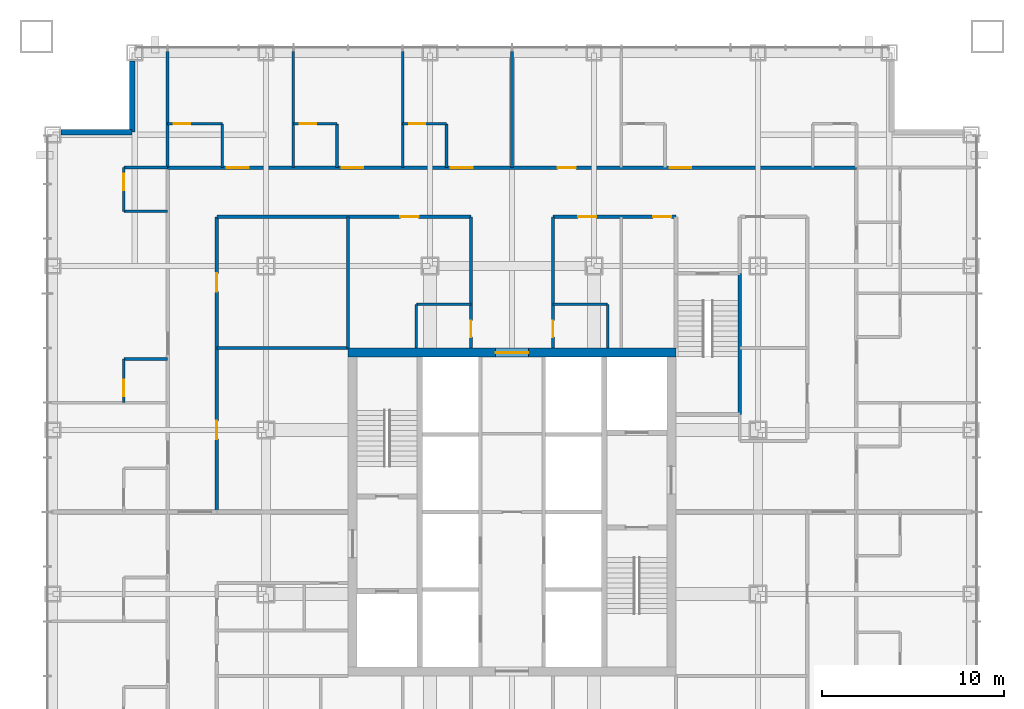
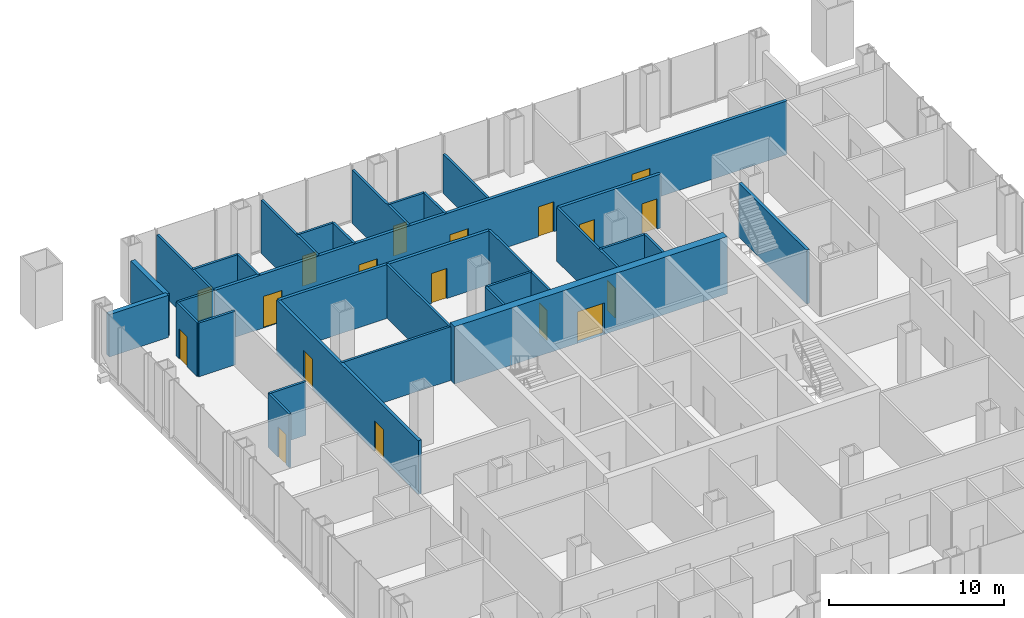
# One storey, part 10 of 12: 31 walls, 18 doors, 18 openings.
"""IFC4 building model written with IfcOpenShell, lengths in metres."""

from ifc_helpers import new_model, si_unit, direction, frame, frame_2d, origin, place, context, subcontext, project, spatial, rectangle, extrude, material, layer, layer_set, type_object, element, fill, save


model = new_model("IFC4")

# Units and contexts
model_context = context("Model", 3, precision=1e-05, world=origin(), true_north=direction((0.0, 1.0)))
body_context = subcontext(model_context, "Body", "Model", "MODEL_VIEW")
ifc_project = project(units=[si_unit("LENGTHUNIT", "METRE"), si_unit("AREAUNIT", "SQUARE_METRE"), si_unit("VOLUMEUNIT", "CUBIC_METRE"), si_unit("PLANEANGLEUNIT", "RADIAN"), si_unit("MASSUNIT", "GRAM", prefix="KILO")], contexts=[model_context])

# Site, building, storey
site_placement = place(None, origin())
site = spatial("IfcSite", under=ifc_project, at=site_placement, CompositionType="ELEMENT")
building_placement = place(site_placement, origin())
building = spatial("IfcBuilding", under=site, at=building_placement, Name="Malebo Sky Hospital", CompositionType="ELEMENT")
storey_placement = place(building_placement, frame((0.0, 0.0, 59.0)))
storey = spatial("IfcBuildingStorey", under=building, at=storey_placement, Name="L13", CompositionType="ELEMENT", Elevation=59.0)

# Wall, opening, door
ifc_material_1 = material(Name="Concrete C80/95", Category="concrete")
ifc_layer_1 = layer(ifc_material_1, 0.5)
ifc_layer_set_1 = layer_set([ifc_layer_1], Name="CORE WALL 500")
wall_type_1 = type_object("IfcWallType", Name="CORE WALL 500", PredefinedType="SHEAR", material=ifc_layer_set_1)
wall_1_placement = place(storey_placement, frame((51.0, 70.75, 0.0), z_axis=(0.0, 0.0, 1.0), x_axis=(1.0, 0.0, 0.0)))
wall_1 = element("IfcWall", 1, at=wall_1_placement, inside=storey, type_object=wall_type_1, Name="Core wall N L13", PredefinedType="SHEAR", context=body_context, shape_type="SweptSolid", body=[
    extrude(rectangle(XDim=18.0, YDim=0.5, at=frame_2d((9.0, 0.0))), origin(), (0.0, 0.0, 1.0), 4.0),
])
opening_1_placement = place(wall_1_placement, frame((8.10009765625, 0.0, 0.0)))
opening_1 = element("IfcOpeningElement", 2, at=opening_1_placement, cuts=wall_1, Name="Opening D06", PredefinedType="OPENING", context=body_context, shape_type="SweptSolid", body=[
    extrude(rectangle(XDim=1.800048828125, YDim=2.199951171875, at=frame_2d((0.89990234375, 1.10009765625))), frame((0.0, 0.260009765625, 0.0), z_axis=(0.0, -1.0, 0.0), x_axis=(1.0, 0.0, 0.0)), (0.0, 0.0, 1.0), 0.52001953125),
])
ifc_material_2 = material(Name="Hardwood-faced door leaf in steel frame", Category="steel")
door_type_1 = type_object("IfcDoorType", Name="LOBBY DOOR PAIR 1800", OperationType="DOUBLE_DOOR_SINGLE_SWING", PredefinedType="DOOR", material=ifc_material_2)
door_1_placement = place(opening_1_placement, origin())
door_1 = element("IfcDoor", 3, at=door_1_placement, inside=storey, type_object=door_type_1, Name="ward pantry door north", OperationType="DOUBLE_DOOR_SINGLE_SWING", OverallHeight=2.199951171875, OverallWidth=1.800048828125, PredefinedType="DOOR", context=body_context, shape_type="SweptSolid", body=[
    extrude(rectangle(XDim=1.800048828125, YDim=2.199951171875, at=frame_2d((0.89990234375, 1.10009765625))), frame((0.0, 0.02490234375, 0.0), z_axis=(0.0, -1.0, 0.0), x_axis=(1.0, 0.0, 0.0)), (0.0, 0.0, 1.0), 0.050048828125),
])
fill(opening_1, door_1)

# Wall, openings, doors
ifc_material_3 = material(Name="Gypsum board on steel studs", Category="steel")
ifc_layer_2 = layer(ifc_material_3, 0.199951171875)
ifc_layer_set_2 = layer_set([ifc_layer_2], Name="CORRIDOR WALL 200")
wall_type_2 = type_object("IfcWallType", Name="CORRIDOR WALL 200", PredefinedType="PARTITIONING", material=ifc_layer_set_2)
wall_2_placement = place(storey_placement, frame((41.10009765625, 80.89990234375, 0.0), z_axis=(0.0, 0.0, 1.0), x_axis=(1.0, 0.0, 0.0)))
wall_2 = element("IfcWall", 4, at=wall_2_placement, inside=storey, type_object=wall_type_2, Name="Corridor Wall 200 NCO", PredefinedType="PARTITIONING", context=body_context, shape_type="SweptSolid", body=[
    extrude(rectangle(XDim=37.7998046875, YDim=0.199951171875, at=frame_2d((18.89990234375, 0.0))), origin(), (0.0, 0.0, 1.0), 3.75),
])
opening_2_placement = place(wall_2_placement, frame((3.25, 0.0, 0.0)))
opening_2 = element("IfcOpeningElement", 5, at=opening_2_placement, cuts=wall_2, Name="Opening D01", PredefinedType="OPENING", context=body_context, shape_type="SweptSolid", body=[
    extrude(rectangle(XDim=1.199951171875, YDim=2.199951171875, at=frame_2d((0.60009765625, 1.10009765625))), frame((0.0, 0.10986328125, 0.0), z_axis=(0.0, -1.0, 0.0), x_axis=(1.0, 0.0, 0.0)), (0.0, 0.0, 1.0), 0.219970703125),
])
opening_3_placement = place(wall_2_placement, frame((9.550048828125, 0.0, 0.0)))
opening_3 = element("IfcOpeningElement", 6, at=opening_3_placement, cuts=wall_2, Name="Opening D01", PredefinedType="OPENING", context=body_context, shape_type="SweptSolid", body=[
    extrude(rectangle(XDim=1.199951171875, YDim=2.199951171875, at=frame_2d((0.60009765625, 1.10009765625))), frame((0.0, 0.10986328125, 0.0), z_axis=(0.0, -1.0, 0.0), x_axis=(1.0, 0.0, 0.0)), (0.0, 0.0, 1.0), 0.219970703125),
])
opening_4_placement = place(wall_2_placement, frame((15.550048828125, 0.0, 0.0)))
opening_4 = element("IfcOpeningElement", 7, at=opening_4_placement, cuts=wall_2, Name="Opening D01", PredefinedType="OPENING", context=body_context, shape_type="SweptSolid", body=[
    extrude(rectangle(XDim=1.199951171875, YDim=2.199951171875, at=frame_2d((0.60009765625, 1.10009765625))), frame((0.0, 0.10986328125, 0.0), z_axis=(0.0, -1.0, 0.0), x_axis=(1.0, 0.0, 0.0)), (0.0, 0.0, 1.0), 0.219970703125),
])
opening_5_placement = place(wall_2_placement, frame((21.39990234375, 0.0, 0.0)))
opening_5 = element("IfcOpeningElement", 8, at=opening_5_placement, cuts=wall_2, Name="Opening D03", PredefinedType="OPENING", context=body_context, shape_type="SweptSolid", body=[
    extrude(rectangle(XDim=1.0, YDim=2.10009765625, at=frame_2d((0.5, 1.050048828125))), frame((0.0, 0.10986328125, 0.0), z_axis=(0.0, -1.0, 0.0), x_axis=(1.0, 0.0, 0.0)), (0.0, 0.0, 1.0), 0.219970703125),
])
opening_6_placement = place(wall_2_placement, frame((27.550048828125, 0.0, 0.0)))
opening_6 = element("IfcOpeningElement", 9, at=opening_6_placement, cuts=wall_2, Name="Opening D01", PredefinedType="OPENING", context=body_context, shape_type="SweptSolid", body=[
    extrude(rectangle(XDim=1.199951171875, YDim=2.199951171875, at=frame_2d((0.60009765625, 1.10009765625))), frame((0.0, 0.10986328125, 0.0), z_axis=(0.0, -1.0, 0.0), x_axis=(1.0, 0.0, 0.0)), (0.0, 0.0, 1.0), 0.219970703125),
])
door_type_2 = type_object("IfcDoorType", Name="BED DOOR 1200", OperationType="SINGLE_SWING_LEFT", PredefinedType="DOOR", material=ifc_material_2)
door_2_placement = place(opening_2_placement, origin())
door_2 = element("IfcDoor", 10, at=door_2_placement, inside=storey, type_object=door_type_2, Name="Two-bed room door", OperationType="SINGLE_SWING_LEFT", OverallHeight=2.199951171875, OverallWidth=1.199951171875, PredefinedType="DOOR", context=body_context, shape_type="SweptSolid", body=[
    extrude(rectangle(XDim=1.199951171875, YDim=2.199951171875, at=frame_2d((0.60009765625, 1.10009765625))), frame((0.0, 0.02490234375, 0.0), z_axis=(0.0, -1.0, 0.0), x_axis=(1.0, 0.0, 0.0)), (0.0, 0.0, 1.0), 0.050048828125),
])
fill(opening_2, door_2)
door_3_placement = place(opening_3_placement, origin())
door_3 = element("IfcDoor", 11, at=door_3_placement, inside=storey, type_object=door_type_2, Name="Two-bed room door", OperationType="SINGLE_SWING_LEFT", OverallHeight=2.199951171875, OverallWidth=1.199951171875, PredefinedType="DOOR", context=body_context, shape_type="SweptSolid", body=[
    extrude(rectangle(XDim=1.199951171875, YDim=2.199951171875, at=frame_2d((0.60009765625, 1.10009765625))), frame((0.0, 0.02490234375, 0.0), z_axis=(0.0, -1.0, 0.0), x_axis=(1.0, 0.0, 0.0)), (0.0, 0.0, 1.0), 0.050048828125),
])
fill(opening_3, door_3)
door_4_placement = place(opening_4_placement, origin())
door_4 = element("IfcDoor", 12, at=door_4_placement, inside=storey, type_object=door_type_2, Name="Two-bed room door", OperationType="SINGLE_SWING_LEFT", OverallHeight=2.199951171875, OverallWidth=1.199951171875, PredefinedType="DOOR", context=body_context, shape_type="SweptSolid", body=[
    extrude(rectangle(XDim=1.199951171875, YDim=2.199951171875, at=frame_2d((0.60009765625, 1.10009765625))), frame((0.0, 0.02490234375, 0.0), z_axis=(0.0, -1.0, 0.0), x_axis=(1.0, 0.0, 0.0)), (0.0, 0.0, 1.0), 0.050048828125),
])
fill(opening_4, door_4)
door_5_placement = place(opening_6_placement, origin())
door_5 = element("IfcDoor", 13, at=door_5_placement, inside=storey, type_object=door_type_2, Name="Four-bed bay door", OperationType="SINGLE_SWING_LEFT", OverallHeight=2.199951171875, OverallWidth=1.199951171875, PredefinedType="DOOR", context=body_context, shape_type="SweptSolid", body=[
    extrude(rectangle(XDim=1.199951171875, YDim=2.199951171875, at=frame_2d((0.60009765625, 1.10009765625))), frame((0.0, 0.02490234375, 0.0), z_axis=(0.0, -1.0, 0.0), x_axis=(1.0, 0.0, 0.0)), (0.0, 0.0, 1.0), 0.050048828125),
])
fill(opening_6, door_5)
door_type_3 = type_object("IfcDoorType", Name="ROOM DOOR 1000", OperationType="SINGLE_SWING_LEFT", PredefinedType="DOOR", material=ifc_material_2)
door_6_placement = place(opening_5_placement, origin())
door_6 = element("IfcDoor", 14, at=door_6_placement, inside=storey, type_object=door_type_3, Name="Patient day room door", OperationType="SINGLE_SWING_LEFT", OverallHeight=2.10009765625, OverallWidth=1.0, PredefinedType="DOOR", context=body_context, shape_type="SweptSolid", body=[
    extrude(rectangle(XDim=1.0, YDim=2.10009765625, at=frame_2d((0.5, 1.050048828125))), frame((0.0, 0.02490234375, 0.0), z_axis=(0.0, -1.0, 0.0), x_axis=(1.0, 0.0, 0.0)), (0.0, 0.0, 1.0), 0.050048828125),
])
fill(opening_5, door_6)

# Wall, opening, door
wall_3_placement = place(storey_placement, frame((43.800048828125, 78.199951171875, 0.0), z_axis=(0.0, 0.0, 1.0), x_axis=(1.0, 0.0, 0.0)))
wall_3 = element("IfcWall", 15, at=wall_3_placement, inside=storey, type_object=wall_type_2, Name="Corridor Wall 200 NCI1", PredefinedType="PARTITIONING", context=body_context, shape_type="SweptSolid", body=[
    extrude(rectangle(XDim=13.949951171875, YDim=0.199951171875, at=frame_2d((6.97509765625, 0.0))), origin(), (0.0, 0.0, 1.0), 3.75),
])
opening_7_placement = place(wall_3_placement, frame((10.074951171875, 0.0, 0.0)))
opening_7 = element("IfcOpeningElement", 16, at=opening_7_placement, cuts=wall_3, Name="Opening D03", PredefinedType="OPENING", context=body_context, shape_type="SweptSolid", body=[
    extrude(rectangle(XDim=1.0, YDim=2.10009765625, at=frame_2d((0.5, 1.050048828125))), frame((0.0, 0.10986328125, 0.0), z_axis=(0.0, -1.0, 0.0), x_axis=(1.0, 0.0, 0.0)), (0.0, 0.0, 1.0), 0.219970703125),
])
door_7_placement = place(opening_7_placement, origin())
door_7 = element("IfcDoor", 17, at=door_7_placement, inside=storey, type_object=door_type_3, Name="Consulting room door", OperationType="SINGLE_SWING_LEFT", OverallHeight=2.10009765625, OverallWidth=1.0, PredefinedType="DOOR", context=body_context, shape_type="SweptSolid", body=[
    extrude(rectangle(XDim=1.0, YDim=2.10009765625, at=frame_2d((0.5, 1.050048828125))), frame((0.0, 0.02490234375, 0.0), z_axis=(0.0, -1.0, 0.0), x_axis=(1.0, 0.0, 0.0)), (0.0, 0.0, 1.0), 0.050048828125),
])
fill(opening_7, door_7)

# Wall, openings, doors
wall_4_placement = place(storey_placement, frame((62.25, 78.199951171875, 0.0), z_axis=(0.0, 0.0, 1.0), x_axis=(1.0, 0.0, 0.0)))
wall_4 = element("IfcWall", 18, at=wall_4_placement, inside=storey, type_object=wall_type_2, Name="Corridor Wall 200 NCI2", PredefinedType="PARTITIONING", context=body_context, shape_type="SweptSolid", body=[
    extrude(rectangle(XDim=6.75, YDim=0.199951171875, at=frame_2d((3.375, 0.0))), origin(), (0.0, 0.0, 1.0), 3.75),
])
opening_8_placement = place(wall_4_placement, frame((1.375, 0.0, 0.0)))
opening_8 = element("IfcOpeningElement", 19, at=opening_8_placement, cuts=wall_4, Name="Opening D03", PredefinedType="OPENING", context=body_context, shape_type="SweptSolid", body=[
    extrude(rectangle(XDim=1.0, YDim=2.10009765625, at=frame_2d((0.5, 1.050048828125))), frame((0.0, 0.10986328125, 0.0), z_axis=(0.0, -1.0, 0.0), x_axis=(1.0, 0.0, 0.0)), (0.0, 0.0, 1.0), 0.219970703125),
])
opening_9_placement = place(wall_4_placement, frame((5.5, 0.0, 0.0)))
opening_9 = element("IfcOpeningElement", 20, at=opening_9_placement, cuts=wall_4, Name="Opening D03", PredefinedType="OPENING", context=body_context, shape_type="SweptSolid", body=[
    extrude(rectangle(XDim=1.0, YDim=2.10009765625, at=frame_2d((0.5, 1.050048828125))), frame((0.0, 0.10986328125, 0.0), z_axis=(0.0, -1.0, 0.0), x_axis=(1.0, 0.0, 0.0)), (0.0, 0.0, 1.0), 0.219970703125),
])
door_8_placement = place(opening_8_placement, origin())
door_8 = element("IfcDoor", 21, at=door_8_placement, inside=storey, type_object=door_type_3, Name="Equipment store door", OperationType="SINGLE_SWING_LEFT", OverallHeight=2.10009765625, OverallWidth=1.0, PredefinedType="DOOR", context=body_context, shape_type="SweptSolid", body=[
    extrude(rectangle(XDim=1.0, YDim=2.10009765625, at=frame_2d((0.5, 1.050048828125))), frame((0.0, 0.02490234375, 0.0), z_axis=(0.0, -1.0, 0.0), x_axis=(1.0, 0.0, 0.0)), (0.0, 0.0, 1.0), 0.050048828125),
])
fill(opening_8, door_8)
door_9_placement = place(opening_9_placement, origin())
door_9 = element("IfcDoor", 22, at=door_9_placement, inside=storey, type_object=door_type_3, Name="Clean utility room door", OperationType="SINGLE_SWING_RIGHT", OverallHeight=2.10009765625, OverallWidth=1.0, PredefinedType="DOOR", context=body_context, shape_type="SweptSolid", body=[
    extrude(rectangle(XDim=1.0, YDim=2.10009765625, at=frame_2d((0.5, 1.050048828125))), frame((0.0, 0.02490234375, 0.0), z_axis=(0.0, -1.0, 0.0), x_axis=(1.0, 0.0, 0.0)), (0.0, 0.0, 1.0), 0.050048828125),
])
fill(opening_9, door_9)

wall_5_placement = place(storey_placement, frame((43.800048828125, 62.0, 0.0), z_axis=(0.0, 0.0, 1.0), x_axis=(0.0, 1.0, 0.0)))
wall_5 = element("IfcWall", 23, at=wall_5_placement, inside=storey, type_object=wall_type_2, Name="Corridor Wall 200 WCI2", PredefinedType="PARTITIONING", context=body_context, shape_type="SweptSolid", body=[
    extrude(rectangle(XDim=16.199951171875, YDim=0.199951171875, at=frame_2d((8.10009765625, 0.0))), origin(), (0.0, 0.0, 1.0), 3.75),
])
opening_10_placement = place(wall_5_placement, frame((4.0, 0.0, 0.0)))
opening_10 = element("IfcOpeningElement", 24, at=opening_10_placement, cuts=wall_5, Name="Opening D03", PredefinedType="OPENING", context=body_context, shape_type="SweptSolid", body=[
    extrude(rectangle(XDim=1.0, YDim=2.10009765625, at=frame_2d((0.5, 1.050048828125))), frame((0.0, 0.10986328125, 0.0), z_axis=(0.0, -1.0, 0.0), x_axis=(1.0, 0.0, 0.0)), (0.0, 0.0, 1.0), 0.219970703125),
])
opening_11_placement = place(wall_5_placement, frame((12.10009765625, 0.0, 0.0)))
opening_11 = element("IfcOpeningElement", 25, at=opening_11_placement, cuts=wall_5, Name="Opening D03", PredefinedType="OPENING", context=body_context, shape_type="SweptSolid", body=[
    extrude(rectangle(XDim=1.0, YDim=2.10009765625, at=frame_2d((0.5, 1.050048828125))), frame((0.0, 0.10986328125, 0.0), z_axis=(0.0, -1.0, 0.0), x_axis=(1.0, 0.0, 0.0)), (0.0, 0.0, 1.0), 0.219970703125),
])
door_10_placement = place(opening_10_placement, origin())
door_10 = element("IfcDoor", 26, at=door_10_placement, inside=storey, type_object=door_type_3, Name="Nurse station door", OperationType="SINGLE_SWING_LEFT", OverallHeight=2.10009765625, OverallWidth=1.0, PredefinedType="DOOR", context=body_context, shape_type="SweptSolid", body=[
    extrude(rectangle(XDim=1.0, YDim=2.10009765625, at=frame_2d((0.5, 1.050048828125))), frame((0.0, 0.02490234375, 0.0), z_axis=(0.0, -1.0, 0.0), x_axis=(1.0, 0.0, 0.0)), (0.0, 0.0, 1.0), 0.050048828125),
])
fill(opening_10, door_10)
door_11_placement = place(opening_11_placement, origin())
door_11 = element("IfcDoor", 27, at=door_11_placement, inside=storey, type_object=door_type_3, Name="Treatment room door", OperationType="SINGLE_SWING_RIGHT", OverallHeight=2.10009765625, OverallWidth=1.0, PredefinedType="DOOR", context=body_context, shape_type="SweptSolid", body=[
    extrude(rectangle(XDim=1.0, YDim=2.10009765625, at=frame_2d((0.5, 1.050048828125))), frame((0.0, 0.02490234375, 0.0), z_axis=(0.0, -1.0, 0.0), x_axis=(1.0, 0.0, 0.0)), (0.0, 0.0, 1.0), 0.050048828125),
])
fill(opening_11, door_11)

# Walls
ifc_material_4 = material(Name="Anodised aluminium rainscreen on steel framing", Category="steel")
ifc_layer_3 = layer(ifc_material_4, 0.300048828125)
ifc_layer_set_3 = layer_set([ifc_layer_3], Name="NOTCH RAINSCREEN WALL 300")
wall_type_3 = type_object("IfcWallType", Name="NOTCH RAINSCREEN WALL 300", PredefinedType="ELEMENTEDWALL", material=ifc_layer_set_3)
for number, where, z_axis, x_axis, name in (
    (28, (35.25, 82.85009765625, 0.0), (0.0, 0.0, 1.0), (1.0, 0.0, 0.0), "Notch rainscreen wall W1 L13"),
    (29, (39.14990234375, 82.85009765625, 0.0), (0.0, 0.0, 1.0), (0.0, 1.0, 0.0), "Notch rainscreen wall W2 L13"),
):
    element("IfcWall", number, at=place(storey_placement, frame(where, z_axis=z_axis, x_axis=x_axis)), inside=storey, type_object=wall_type_3, Name=name, PredefinedType="ELEMENTEDWALL", context=body_context, shape_type="SweptSolid", body=[
        extrude(rectangle(XDim=3.89990234375, YDim=0.300048828125, at=frame_2d((1.949951171875, 0.0))), origin(), (0.0, 0.0, 1.0), 2.949951171875),
    ])
ifc_layer_4 = layer(ifc_material_3, 0.14990234375)
ifc_layer_set_4 = layer_set([ifc_layer_4], Name="PARTITION 150")
wall_type_4 = type_object("IfcWallType", Name="PARTITION 150", PredefinedType="PARTITIONING", material=ifc_layer_set_4)
for number, where, z_axis, x_axis, name in (
    (30, (48.0, 80.89990234375, 0.0), (0.0, 0.0, 1.0), (0.0, 1.0, 0.0), "Partition 150 NP-12.0"),
    (31, (54.0, 80.89990234375, 0.0), (0.0, 0.0, 1.0), (0.0, 1.0, 0.0), "Partition 150 NP-6.0"),
):
    element("IfcWall", number, at=place(storey_placement, frame(where, z_axis=z_axis, x_axis=x_axis)), inside=storey, type_object=wall_type_4, Name=name, PredefinedType="PARTITIONING", context=body_context, shape_type="SweptSolid", body=[
        extrude(rectangle(XDim=6.375, YDim=0.14990234375, at=frame_2d((3.1875, 0.0))), origin(), (0.0, 0.0, 1.0), 3.75),
    ])
wall_6_placement = place(storey_placement, frame((60.0, 80.89990234375, 0.0), z_axis=(0.0, 0.0, 1.0), x_axis=(0.0, 1.0, 0.0)))
element("IfcWall", 32, at=wall_6_placement, inside=storey, type_object=wall_type_4, Name="Partition 150 NP+0.0", PredefinedType="PARTITIONING", context=body_context, shape_type="SweptSolid", body=[
    extrude(rectangle(XDim=6.375, YDim=0.14990234375, at=frame_2d((3.1875, 0.0))), origin(), (0.0, 0.0, 1.0), 2.75),
])
wall_7_placement = place(storey_placement, frame((41.10009765625, 80.89990234375, 0.0), z_axis=(0.0, 0.0, 1.0), x_axis=(0.0, 1.0, 0.0)))
element("IfcWall", 33, at=wall_7_placement, inside=storey, type_object=wall_type_4, Name="Partition 150 NP0", PredefinedType="PARTITIONING", context=body_context, shape_type="SweptSolid", body=[
    extrude(rectangle(XDim=6.375, YDim=0.14990234375, at=frame_2d((3.1875, 0.0))), origin(), (0.0, 0.0, 1.0), 3.75),
])

# Wall, opening, door
wall_8_placement = place(storey_placement, frame((41.10009765625, 83.300048828125, 0.0), z_axis=(0.0, 0.0, 1.0), x_axis=(1.0, 0.0, 0.0)))
wall_8 = element("IfcWall", 34, at=wall_8_placement, inside=storey, type_object=wall_type_4, Name="Partition 150 NE0F", PredefinedType="PARTITIONING", context=body_context, shape_type="SweptSolid", body=[
    extrude(rectangle(XDim=3.0, YDim=0.14990234375, at=frame_2d((1.5, 0.0))), origin(), (0.0, 0.0, 1.0), 3.75),
])
opening_12_placement = place(wall_8_placement, frame((0.35009765625, 0.0, 0.0)))
opening_12 = element("IfcOpeningElement", 35, at=opening_12_placement, cuts=wall_8, Name="Opening D02", PredefinedType="OPENING", context=body_context, shape_type="SweptSolid", body=[
    extrude(rectangle(XDim=0.89990234375, YDim=2.10009765625, at=frame_2d((0.449951171875, 1.050048828125))), frame((0.0, 0.0849609375, 0.0), z_axis=(0.0, -1.0, 0.0), x_axis=(1.0, 0.0, 0.0)), (0.0, 0.0, 1.0), 0.169921875),
])
door_type_4 = type_object("IfcDoorType", Name="EN-SUITE DOOR 900", OperationType="SINGLE_SWING_LEFT", PredefinedType="DOOR", material=ifc_material_2)
door_12_placement = place(opening_12_placement, origin())
door_12 = element("IfcDoor", 36, at=door_12_placement, inside=storey, type_object=door_type_4, Name="En-suite door", OperationType="SINGLE_SWING_LEFT", OverallHeight=2.10009765625, OverallWidth=0.89990234375, PredefinedType="DOOR", context=body_context, shape_type="SweptSolid", body=[
    extrude(rectangle(XDim=0.89990234375, YDim=2.10009765625, at=frame_2d((0.449951171875, 1.050048828125))), frame((0.0, 0.02490234375, 0.0), z_axis=(0.0, -1.0, 0.0), x_axis=(1.0, 0.0, 0.0)), (0.0, 0.0, 1.0), 0.050048828125),
])
fill(opening_12, door_12)

# Wall
wall_9_placement = place(storey_placement, frame((44.10009765625, 80.89990234375, 0.0), z_axis=(0.0, 0.0, 1.0), x_axis=(0.0, 1.0, 0.0)))
element("IfcWall", 37, at=wall_9_placement, inside=storey, type_object=wall_type_4, Name="Partition 150 NE0S", PredefinedType="PARTITIONING", context=body_context, shape_type="SweptSolid", body=[
    extrude(rectangle(XDim=2.400146484375, YDim=0.14990234375, at=frame_2d((1.2001953125, 0.0))), origin(), (0.0, 0.0, 1.0), 3.75),
])

# Wall, opening, door
wall_10_placement = place(storey_placement, frame((48.0, 83.300048828125, 0.0), z_axis=(0.0, 0.0, 1.0), x_axis=(1.0, 0.0, 0.0)))
wall_10 = element("IfcWall", 38, at=wall_10_placement, inside=storey, type_object=wall_type_4, Name="Partition 150 NE1F", PredefinedType="PARTITIONING", context=body_context, shape_type="SweptSolid", body=[
    extrude(rectangle(XDim=2.39990234375, YDim=0.14990234375, at=frame_2d((1.199951171875, 0.0))), origin(), (0.0, 0.0, 1.0), 3.75),
])
opening_13_placement = place(wall_10_placement, frame((0.35009765625, 0.0, 0.0)))
opening_13 = element("IfcOpeningElement", 39, at=opening_13_placement, cuts=wall_10, Name="Opening D02", PredefinedType="OPENING", context=body_context, shape_type="SweptSolid", body=[
    extrude(rectangle(XDim=0.89990234375, YDim=2.10009765625, at=frame_2d((0.449951171875, 1.050048828125))), frame((0.0, 0.0849609375, 0.0), z_axis=(0.0, -1.0, 0.0), x_axis=(1.0, 0.0, 0.0)), (0.0, 0.0, 1.0), 0.169921875),
])
door_13_placement = place(opening_13_placement, origin())
door_13 = element("IfcDoor", 40, at=door_13_placement, inside=storey, type_object=door_type_4, Name="En-suite door", OperationType="SINGLE_SWING_LEFT", OverallHeight=2.10009765625, OverallWidth=0.89990234375, PredefinedType="DOOR", context=body_context, shape_type="SweptSolid", body=[
    extrude(rectangle(XDim=0.89990234375, YDim=2.10009765625, at=frame_2d((0.449951171875, 1.050048828125))), frame((0.0, 0.02490234375, 0.0), z_axis=(0.0, -1.0, 0.0), x_axis=(1.0, 0.0, 0.0)), (0.0, 0.0, 1.0), 0.050048828125),
])
fill(opening_13, door_13)

# Wall
wall_11_placement = place(storey_placement, frame((50.39990234375, 80.89990234375, 0.0), z_axis=(0.0, 0.0, 1.0), x_axis=(0.0, 1.0, 0.0)))
element("IfcWall", 41, at=wall_11_placement, inside=storey, type_object=wall_type_4, Name="Partition 150 NE1S", PredefinedType="PARTITIONING", context=body_context, shape_type="SweptSolid", body=[
    extrude(rectangle(XDim=2.400146484375, YDim=0.14990234375, at=frame_2d((1.2001953125, 0.0))), origin(), (0.0, 0.0, 1.0), 3.75),
])

# Wall, opening, door
wall_12_placement = place(storey_placement, frame((54.0, 83.300048828125, 0.0), z_axis=(0.0, 0.0, 1.0), x_axis=(1.0, 0.0, 0.0)))
wall_12 = element("IfcWall", 42, at=wall_12_placement, inside=storey, type_object=wall_type_4, Name="Partition 150 NE2F", PredefinedType="PARTITIONING", context=body_context, shape_type="SweptSolid", body=[
    extrude(rectangle(XDim=2.39990234375, YDim=0.14990234375, at=frame_2d((1.199951171875, 0.0))), origin(), (0.0, 0.0, 1.0), 3.75),
])
opening_14_placement = place(wall_12_placement, frame((0.35009765625, 0.0, 0.0)))
opening_14 = element("IfcOpeningElement", 43, at=opening_14_placement, cuts=wall_12, Name="Opening D02", PredefinedType="OPENING", context=body_context, shape_type="SweptSolid", body=[
    extrude(rectangle(XDim=0.89990234375, YDim=2.10009765625, at=frame_2d((0.449951171875, 1.050048828125))), frame((0.0, 0.0849609375, 0.0), z_axis=(0.0, -1.0, 0.0), x_axis=(1.0, 0.0, 0.0)), (0.0, 0.0, 1.0), 0.169921875),
])
door_14_placement = place(opening_14_placement, origin())
door_14 = element("IfcDoor", 44, at=door_14_placement, inside=storey, type_object=door_type_4, Name="En-suite door", OperationType="SINGLE_SWING_LEFT", OverallHeight=2.10009765625, OverallWidth=0.89990234375, PredefinedType="DOOR", context=body_context, shape_type="SweptSolid", body=[
    extrude(rectangle(XDim=0.89990234375, YDim=2.10009765625, at=frame_2d((0.449951171875, 1.050048828125))), frame((0.0, 0.02490234375, 0.0), z_axis=(0.0, -1.0, 0.0), x_axis=(1.0, 0.0, 0.0)), (0.0, 0.0, 1.0), 0.050048828125),
])
fill(opening_14, door_14)

# Walls
wall_13_placement = place(storey_placement, frame((56.39990234375, 80.89990234375, 0.0), z_axis=(0.0, 0.0, 1.0), x_axis=(0.0, 1.0, 0.0)))
element("IfcWall", 45, at=wall_13_placement, inside=storey, type_object=wall_type_4, Name="Partition 150 NE2S", PredefinedType="PARTITIONING", context=body_context, shape_type="SweptSolid", body=[
    extrude(rectangle(XDim=2.400146484375, YDim=0.14990234375, at=frame_2d((1.2001953125, 0.0))), origin(), (0.0, 0.0, 1.0), 3.75),
])
wall_14_placement = place(storey_placement, frame((51.0, 71.0, 0.0), z_axis=(0.0, 0.0, 1.0), x_axis=(0.0, 1.0, 0.0)))
element("IfcWall", 46, at=wall_14_placement, inside=storey, type_object=wall_type_4, Name="Partition 150 NSP0", PredefinedType="PARTITIONING", context=body_context, shape_type="SweptSolid", body=[
    extrude(rectangle(XDim=7.199951171875, YDim=0.14990234375, at=frame_2d((3.60009765625, 0.0))), origin(), (0.0, 0.0, 1.0), 3.75),
])

# Wall, opening, door
wall_15_placement = place(storey_placement, frame((57.75, 71.0, 0.0), z_axis=(0.0, 0.0, 1.0), x_axis=(0.0, 1.0, 0.0)))
wall_15 = element("IfcWall", 47, at=wall_15_placement, inside=storey, type_object=wall_type_4, Name="Partition 150 NSPA", PredefinedType="PARTITIONING", context=body_context, shape_type="SweptSolid", body=[
    extrude(rectangle(XDim=7.199951171875, YDim=0.14990234375, at=frame_2d((3.60009765625, 0.0))), origin(), (0.0, 0.0, 1.0), 3.75),
])
opening_15_placement = place(wall_15_placement, frame((0.60009765625, 0.0, 0.0)))
opening_15 = element("IfcOpeningElement", 48, at=opening_15_placement, cuts=wall_15, Name="Opening D04", PredefinedType="OPENING", context=body_context, shape_type="SweptSolid", body=[
    extrude(rectangle(XDim=0.89990234375, YDim=2.10009765625, at=frame_2d((0.449951171875, 1.050048828125))), frame((0.0, 0.0849609375, 0.0), z_axis=(0.0, -1.0, 0.0), x_axis=(1.0, 0.0, 0.0)), (0.0, 0.0, 1.0), 0.169921875),
])
door_type_5 = type_object("IfcDoorType", Name="ROOM DOOR 900", OperationType="SINGLE_SWING_LEFT", PredefinedType="DOOR", material=ifc_material_2)
door_15_placement = place(opening_15_placement, origin())
door_15 = element("IfcDoor", 49, at=door_15_placement, inside=storey, type_object=door_type_5, Name="Staff WC door", OperationType="SINGLE_SWING_LEFT", OverallHeight=2.10009765625, OverallWidth=0.89990234375, PredefinedType="DOOR", context=body_context, shape_type="SweptSolid", body=[
    extrude(rectangle(XDim=0.89990234375, YDim=2.10009765625, at=frame_2d((0.449951171875, 1.050048828125))), frame((0.0, 0.02490234375, 0.0), z_axis=(0.0, -1.0, 0.0), x_axis=(1.0, 0.0, 0.0)), (0.0, 0.0, 1.0), 0.050048828125),
])
fill(opening_15, door_15)

wall_16_placement = place(storey_placement, frame((62.25, 71.0, 0.0), z_axis=(0.0, 0.0, 1.0), x_axis=(0.0, 1.0, 0.0)))
wall_16 = element("IfcWall", 50, at=wall_16_placement, inside=storey, type_object=wall_type_4, Name="Partition 150 NSPB", PredefinedType="PARTITIONING", context=body_context, shape_type="SweptSolid", body=[
    extrude(rectangle(XDim=7.199951171875, YDim=0.14990234375, at=frame_2d((3.60009765625, 0.0))), origin(), (0.0, 0.0, 1.0), 3.75),
])
opening_16_placement = place(wall_16_placement, frame((0.60009765625, 0.0, 0.0)))
opening_16 = element("IfcOpeningElement", 51, at=opening_16_placement, cuts=wall_16, Name="Opening D04", PredefinedType="OPENING", context=body_context, shape_type="SweptSolid", body=[
    extrude(rectangle(XDim=0.89990234375, YDim=2.10009765625, at=frame_2d((0.449951171875, 1.050048828125))), frame((0.0, 0.0849609375, 0.0), z_axis=(0.0, -1.0, 0.0), x_axis=(1.0, 0.0, 0.0)), (0.0, 0.0, 1.0), 0.169921875),
])
door_16_placement = place(opening_16_placement, origin())
door_16 = element("IfcDoor", 52, at=door_16_placement, inside=storey, type_object=door_type_5, Name="Accessible WC door", OperationType="SINGLE_SWING_LEFT", OverallHeight=2.10009765625, OverallWidth=0.89990234375, PredefinedType="DOOR", context=body_context, shape_type="SweptSolid", body=[
    extrude(rectangle(XDim=0.89990234375, YDim=2.10009765625, at=frame_2d((0.449951171875, 1.050048828125))), frame((0.0, 0.02490234375, 0.0), z_axis=(0.0, -1.0, 0.0), x_axis=(1.0, 0.0, 0.0)), (0.0, 0.0, 1.0), 0.050048828125),
])
fill(opening_16, door_16)

# Walls
wall_17_placement = place(storey_placement, frame((54.75, 73.39990234375, 0.0), z_axis=(0.0, 0.0, 1.0), x_axis=(1.0, 0.0, 0.0)))
element("IfcWall", 53, at=wall_17_placement, inside=storey, type_object=wall_type_4, Name="Partition 150 NSX0", PredefinedType="PARTITIONING", context=body_context, shape_type="SweptSolid", body=[
    extrude(rectangle(XDim=3.0, YDim=0.14990234375, at=frame_2d((1.5, 0.0))), origin(), (0.0, 0.0, 1.0), 3.75),
])
wall_18_placement = place(storey_placement, frame((54.75, 71.0, 0.0), z_axis=(0.0, 0.0, 1.0), x_axis=(0.0, 1.0, 0.0)))
element("IfcWall", 54, at=wall_18_placement, inside=storey, type_object=wall_type_4, Name="Partition 150 NSY0", PredefinedType="PARTITIONING", context=body_context, shape_type="SweptSolid", body=[
    extrude(rectangle(XDim=2.39990234375, YDim=0.14990234375, at=frame_2d((1.199951171875, 0.0))), origin(), (0.0, 0.0, 1.0), 3.75),
])
wall_19_placement = place(storey_placement, frame((62.25, 73.39990234375, 0.0), z_axis=(0.0, 0.0, 1.0), x_axis=(1.0, 0.0, 0.0)))
element("IfcWall", 55, at=wall_19_placement, inside=storey, type_object=wall_type_4, Name="Partition 150 NSX1", PredefinedType="PARTITIONING", context=body_context, shape_type="SweptSolid", body=[
    extrude(rectangle(XDim=3.0, YDim=0.14990234375, at=frame_2d((1.5, 0.0))), origin(), (0.0, 0.0, 1.0), 3.75),
])
wall_20_placement = place(storey_placement, frame((65.25, 71.0, 0.0), z_axis=(0.0, 0.0, 1.0), x_axis=(0.0, 1.0, 0.0)))
element("IfcWall", 56, at=wall_20_placement, inside=storey, type_object=wall_type_4, Name="Partition 150 NSY1", PredefinedType="PARTITIONING", context=body_context, shape_type="SweptSolid", body=[
    extrude(rectangle(XDim=2.39990234375, YDim=0.14990234375, at=frame_2d((1.199951171875, 0.0))), origin(), (0.0, 0.0, 1.0), 3.75),
])

# Wall, opening, door
wall_21_placement = place(storey_placement, frame((38.699951171875, 68.0, 0.0), z_axis=(0.0, 0.0, 1.0), x_axis=(0.0, 1.0, 0.0)))
wall_21 = element("IfcWall", 57, at=wall_21_placement, inside=storey, type_object=wall_type_4, Name="Partition 150 WE4F", PredefinedType="PARTITIONING", context=body_context, shape_type="SweptSolid", body=[
    extrude(rectangle(XDim=2.39990234375, YDim=0.14990234375, at=frame_2d((1.199951171875, 0.0))), origin(), (0.0, 0.0, 1.0), 3.75),
])
opening_17_placement = place(wall_21_placement, frame((0.35009765625, 0.0, 0.0)))
opening_17 = element("IfcOpeningElement", 58, at=opening_17_placement, cuts=wall_21, Name="Opening D02", PredefinedType="OPENING", context=body_context, shape_type="SweptSolid", body=[
    extrude(rectangle(XDim=0.89990234375, YDim=2.10009765625, at=frame_2d((0.449951171875, 1.050048828125))), frame((0.0, 0.0849609375, 0.0), z_axis=(0.0, -1.0, 0.0), x_axis=(1.0, 0.0, 0.0)), (0.0, 0.0, 1.0), 0.169921875),
])
door_17_placement = place(opening_17_placement, origin())
door_17 = element("IfcDoor", 59, at=door_17_placement, inside=storey, type_object=door_type_4, Name="En-suite door", OperationType="SINGLE_SWING_LEFT", OverallHeight=2.10009765625, OverallWidth=0.89990234375, PredefinedType="DOOR", context=body_context, shape_type="SweptSolid", body=[
    extrude(rectangle(XDim=0.89990234375, YDim=2.10009765625, at=frame_2d((0.449951171875, 1.050048828125))), frame((0.0, 0.02490234375, 0.0), z_axis=(0.0, -1.0, 0.0), x_axis=(1.0, 0.0, 0.0)), (0.0, 0.0, 1.0), 0.050048828125),
])
fill(opening_17, door_17)

# Wall
wall_22_placement = place(storey_placement, frame((41.10009765625, 70.39990234375, 0.0), z_axis=(0.0, 0.0, 1.0), x_axis=(-1.0, 0.0, 0.0)))
element("IfcWall", 60, at=wall_22_placement, inside=storey, type_object=wall_type_4, Name="Partition 150 WE4S", PredefinedType="PARTITIONING", context=body_context, shape_type="SweptSolid", body=[
    extrude(rectangle(XDim=2.400146484375, YDim=0.14990234375, at=frame_2d((1.2001953125, 0.0))), origin(), (0.0, 0.0, 1.0), 3.75),
])

# Wall, opening, door
wall_23_placement = place(storey_placement, frame((38.699951171875, 78.5, 0.0), z_axis=(0.0, 0.0, 1.0), x_axis=(0.0, 1.0, 0.0)))
wall_23 = element("IfcWall", 61, at=wall_23_placement, inside=storey, type_object=wall_type_4, Name="Partition 150 WG4F", PredefinedType="PARTITIONING", context=body_context, shape_type="SweptSolid", body=[
    extrude(rectangle(XDim=2.39990234375, YDim=0.14990234375, at=frame_2d((1.199951171875, 0.0))), origin(), (0.0, 0.0, 1.0), 3.75),
])
opening_18_placement = place(wall_23_placement, frame((1.14990234375, 0.0, 0.0)))
opening_18 = element("IfcOpeningElement", 62, at=opening_18_placement, cuts=wall_23, Name="Opening D02", PredefinedType="OPENING", context=body_context, shape_type="SweptSolid", body=[
    extrude(rectangle(XDim=0.89990234375, YDim=2.10009765625, at=frame_2d((0.449951171875, 1.050048828125))), frame((0.0, 0.0849609375, 0.0), z_axis=(0.0, -1.0, 0.0), x_axis=(1.0, 0.0, 0.0)), (0.0, 0.0, 1.0), 0.169921875),
])
door_18_placement = place(opening_18_placement, origin())
door_18 = element("IfcDoor", 63, at=door_18_placement, inside=storey, type_object=door_type_4, Name="En-suite door", OperationType="SINGLE_SWING_RIGHT", OverallHeight=2.10009765625, OverallWidth=0.89990234375, PredefinedType="DOOR", context=body_context, shape_type="SweptSolid", body=[
    extrude(rectangle(XDim=0.89990234375, YDim=2.10009765625, at=frame_2d((0.449951171875, 1.050048828125))), frame((0.0, 0.02490234375, 0.0), z_axis=(0.0, -1.0, 0.0), x_axis=(1.0, 0.0, 0.0)), (0.0, 0.0, 1.0), 0.050048828125),
])
fill(opening_18, door_18)

# Walls
for number, where, z_axis, x_axis, name in (
    (64, (41.10009765625, 78.5, 0.0), (0.0, 0.0, 1.0), (-1.0, 0.0, 0.0), "Partition 150 WG4S"),
    (65, (41.10009765625, 80.89990234375, 0.0), (0.0, 0.0, 1.0), (-1.0, 0.0, 0.0), "Partition 150 WEZ"),
):
    element("IfcWall", number, at=place(storey_placement, frame(where, z_axis=z_axis, x_axis=x_axis)), inside=storey, type_object=wall_type_4, Name=name, PredefinedType="PARTITIONING", context=body_context, shape_type="SweptSolid", body=[
        extrude(rectangle(XDim=2.400146484375, YDim=0.14990234375, at=frame_2d((1.2001953125, 0.0))), origin(), (0.0, 0.0, 1.0), 3.75),
    ])
wall_24_placement = place(storey_placement, frame((51.0, 71.0, 0.0), z_axis=(0.0, 0.0, 1.0), x_axis=(-1.0, 0.0, 0.0)))
element("IfcWall", 66, at=wall_24_placement, inside=storey, type_object=wall_type_4, Name="Partition 150 WSP+9.0", PredefinedType="PARTITIONING", context=body_context, shape_type="SweptSolid", body=[
    extrude(rectangle(XDim=7.199951171875, YDim=0.14990234375, at=frame_2d((3.60009765625, 0.0))), origin(), (0.0, 0.0, 1.0), 3.75),
])
ifc_material_5 = material(Name="Concrete C40/50", Category="concrete")
ifc_layer_5 = layer(ifc_material_5, 0.199951171875)
ifc_layer_set_5 = layer_set([ifc_layer_5], Name="STAIR ENCLOSURE WALL 200")
wall_type_5 = type_object("IfcWallType", Name="STAIR ENCLOSURE WALL 200", PredefinedType="SOLIDWALL", material=ifc_layer_set_5)
wall_25_placement = place(storey_placement, frame((72.5, 67.35009765625, 0.0), z_axis=(0.0, 0.0, 1.0), x_axis=(0.0, 1.0, 0.0)))
element("IfcWall", 67, at=wall_25_placement, inside=storey, type_object=wall_type_5, Name="Stair Enclosure Wall 200 ST3E", PredefinedType="SOLIDWALL", context=body_context, shape_type="SweptSolid", body=[
    extrude(rectangle(XDim=7.75, YDim=0.199951171875, at=frame_2d((3.875, 0.0))), origin(), (0.0, 0.0, 1.0), 3.75),
])

save(model, "model.ifc")
